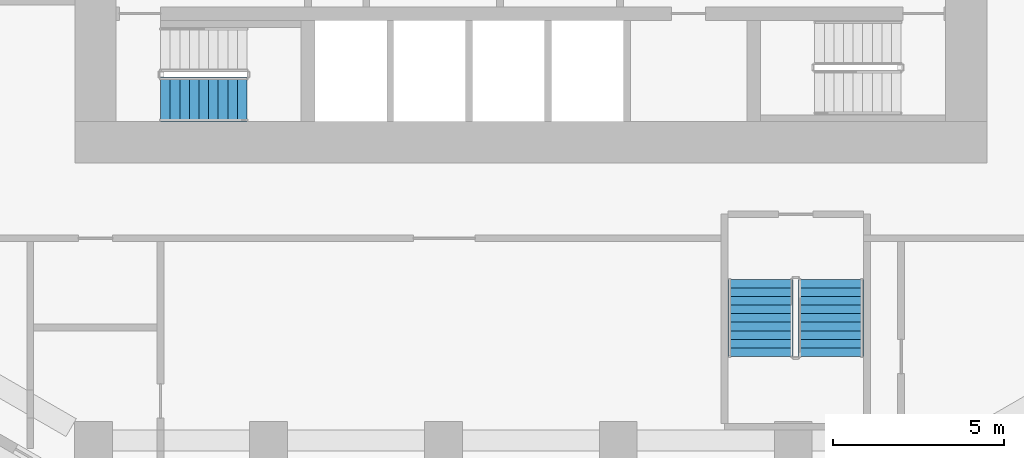
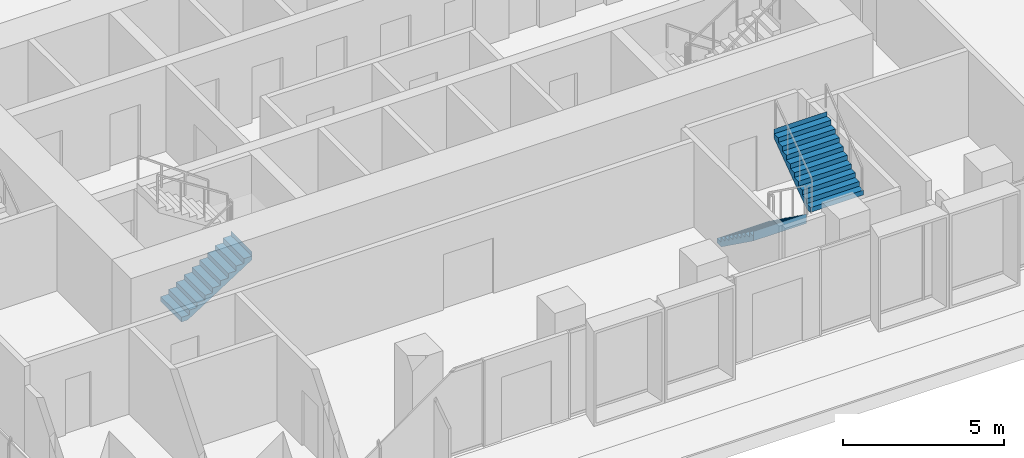
# One storey, part 29 of 38: 3 stair flights, 2 elements without a shape of their own.
"""IFC4 building model written with IfcOpenShell, lengths in metres."""

from ifc_helpers import new_model, si_unit, direction, frame, origin, place, context, subcontext, project, spatial, triangles, material, type_object, element, aggregate, save


model = new_model("IFC4")

# Units and contexts
model_context = context("Model", 3, precision=1e-05, world=origin(), true_north=direction((0.0, 1.0)))
body_context = subcontext(model_context, "Body", "Model", "MODEL_VIEW")
ifc_project = project(units=[si_unit("LENGTHUNIT", "METRE"), si_unit("AREAUNIT", "SQUARE_METRE"), si_unit("VOLUMEUNIT", "CUBIC_METRE"), si_unit("PLANEANGLEUNIT", "RADIAN"), si_unit("MASSUNIT", "GRAM", prefix="KILO")], contexts=[model_context])

# Site, building, storey
site_placement = place(None, origin())
site = spatial("IfcSite", under=ifc_project, at=site_placement, CompositionType="ELEMENT")
building_placement = place(site_placement, origin())
building = spatial("IfcBuilding", under=site, at=building_placement, Name="Beryl Residences", CompositionType="ELEMENT")
storey_placement = place(building_placement, frame((0.0, 0.0, 9.0)))
storey = spatial("IfcBuildingStorey", under=building, at=storey_placement, Name="L02", CompositionType="ELEMENT", Elevation=9.0)

# Stair, stair flights
ifc_material_1 = material(Name="Concrete C40/50", Category="concrete")
stair_type = type_object("IfcStairType", Name="ST1 protected exit stair, half-turn, 1300 mm flights", PredefinedType="HALF_TURN_STAIR", material=ifc_material_1)
stair_1_placement = place(storey_placement, origin())
stair_1 = element("IfcStair", 1, at=stair_1_placement, inside=storey, type_object=stair_type, Name="L02 Podium exit stair 7", PredefinedType="HALF_TURN_STAIR")
ifc_material_2 = material(Name="Concrete C40/50", Category="concrete")
stair_flight_type = type_object("IfcStairFlightType", Name="SF1 stair flight 1300 mm", PredefinedType="STRAIGHT", material=ifc_material_2)
stair_flight_1_placement = place(storey_placement, frame((6.699951171875, -22.39990234375, 0.0), z_axis=(0.0, 0.0, 1.0), x_axis=(0.0, -1.0, 0.0)))
stair_flight_1 = element("IfcStairFlight", 2, at=stair_flight_1_placement, type_object=stair_flight_type, Name="PS-7 flight 1", NumberOfRisers=10, NumberOfTreads=9, PredefinedType="STRAIGHT", RiserHeight=0.18, TreadLength=0.25, context=body_context, shape_type="Tessellation", body=[
    triangles([(0.0, -0.949951171875, 0.0), (0.0, -0.47509765625, 0.0), (0.0, 0.0, 0.0), (0.0, 0.47509765625, 0.0), (0.0, 0.949951171875, 0.0), (0.0, -0.949951171875, 0.179931640625), (0.0, -0.47509765625, 0.179931640625), (0.0, 0.0, 0.179931640625), (0.0, 0.47509765625, 0.179931640625), (0.0, 0.949951171875, 0.179931640625), (0.25, -0.949951171875, 0.179931640625), (0.25, -0.47509765625, 0.179931640625), (0.25, 0.0, 0.179931640625), (0.25, 0.47509765625, 0.179931640625), (0.25, 0.949951171875, 0.179931640625), (0.25, -0.949951171875, 0.360107421875), (0.25, -0.47509765625, 0.360107421875), (0.25, 0.0, 0.360107421875), (0.25, 0.47509765625, 0.360107421875), (0.25, 0.949951171875, 0.360107421875), (0.5, -0.949951171875, 0.360107421875), (0.5, -0.47509765625, 0.360107421875), (0.5, 0.0, 0.360107421875), (0.5, 0.47509765625, 0.360107421875), (0.5, 0.949951171875, 0.360107421875), (0.5, -0.949951171875, 0.5400390625), (0.5, -0.47509765625, 0.5400390625), (0.5, 0.0, 0.5400390625), (0.5, 0.47509765625, 0.5400390625), (0.5, 0.949951171875, 0.5400390625), (0.75, -0.949951171875, 0.5400390625), (0.75, -0.47509765625, 0.5400390625), (0.75, 0.0, 0.5400390625), (0.75, 0.47509765625, 0.5400390625), (0.75, 0.949951171875, 0.5400390625), (0.75, -0.949951171875, 0.719970703125), (0.75, -0.47509765625, 0.719970703125), (0.75, 0.0, 0.719970703125), (0.75, 0.47509765625, 0.719970703125), (0.75, 0.949951171875, 0.719970703125), (1.0, -0.949951171875, 0.719970703125), (1.0, -0.47509765625, 0.719970703125), (1.0, 0.0, 0.719970703125), (1.0, 0.47509765625, 0.719970703125), (1.0, 0.949951171875, 0.719970703125), (1.0, -0.949951171875, 0.89990234375), (1.0, -0.47509765625, 0.89990234375), (1.0, 0.0, 0.89990234375), (1.0, 0.47509765625, 0.89990234375), (1.0, 0.949951171875, 0.89990234375), (1.25, -0.949951171875, 0.89990234375), (1.25, -0.47509765625, 0.89990234375), (1.25, 0.0, 0.89990234375), (1.25, 0.47509765625, 0.89990234375), (1.25, 0.949951171875, 0.89990234375), (1.25, -0.949951171875, 1.080078125), (1.25, -0.47509765625, 1.080078125), (1.25, 0.0, 1.080078125), (1.25, 0.47509765625, 1.080078125), (1.25, 0.949951171875, 1.080078125), (1.5, -0.949951171875, 1.080078125), (1.5, -0.47509765625, 1.080078125), (1.5, 0.0, 1.080078125), (1.5, 0.47509765625, 1.080078125), (1.5, 0.949951171875, 1.080078125), (1.5, -0.949951171875, 1.260009765625), (1.5, -0.47509765625, 1.260009765625), (1.5, 0.0, 1.260009765625), (1.5, 0.47509765625, 1.260009765625), (1.5, 0.949951171875, 1.260009765625), (1.75, -0.949951171875, 1.260009765625), (1.75, -0.47509765625, 1.260009765625), (1.75, 0.0, 1.260009765625), (1.75, 0.47509765625, 1.260009765625), (1.75, 0.949951171875, 1.260009765625), (1.75, -0.949951171875, 1.43994140625), (1.75, -0.47509765625, 1.43994140625), (1.75, 0.0, 1.43994140625), (1.75, 0.47509765625, 1.43994140625), (1.75, 0.949951171875, 1.43994140625), (2.0, -0.949951171875, 1.43994140625), (2.0, -0.47509765625, 1.43994140625), (2.0, 0.0, 1.43994140625), (2.0, 0.47509765625, 1.43994140625), (2.0, 0.949951171875, 1.43994140625), (2.0, -0.949951171875, 1.6201171875), (2.0, -0.47509765625, 1.6201171875), (2.0, 0.0, 1.6201171875), (2.0, 0.47509765625, 1.6201171875), (2.0, 0.949951171875, 1.6201171875), (2.25, -0.949951171875, 1.6201171875), (2.25, -0.47509765625, 1.6201171875), (2.25, 0.0, 1.6201171875), (2.25, 0.47509765625, 1.6201171875), (2.25, 0.949951171875, 1.6201171875), (2.25, -0.949951171875, 1.800048828125), (2.25, -0.47509765625, 1.800048828125), (2.25, 0.0, 1.800048828125), (2.25, 0.47509765625, 1.800048828125), (2.25, 0.949951171875, 1.800048828125), (2.2509765625, -0.949951171875, 1.800048828125), (2.2509765625, -0.47509765625, 1.800048828125), (2.2509765625, 0.0, 1.800048828125), (2.2509765625, 0.47509765625, 1.800048828125), (2.2509765625, 0.949951171875, 1.800048828125), (2.2509765625, -0.949951171875, 1.435302734375), (2.2509765625, -0.47509765625, 1.435302734375), (2.2509765625, 0.0, 1.435302734375), (2.2509765625, 0.47509765625, 1.435302734375), (2.2509765625, 0.949951171875, 1.435302734375), (0.257568359375, -0.949951171875, 0.0), (0.257568359375, -0.47509765625, 0.0), (0.257568359375, 0.0, 0.0), (0.257568359375, 0.47509765625, 0.0), (0.257568359375, 0.949951171875, 0.0)], [[1, 6, 7], [1, 7, 2], [2, 7, 8], [2, 8, 3], [3, 8, 9], [3, 9, 4], [4, 9, 10], [4, 10, 5], [6, 11, 12], [6, 12, 7], [7, 12, 13], [7, 13, 8], [8, 13, 14], [8, 14, 9], [9, 14, 15], [9, 15, 10], [11, 16, 17], [11, 17, 12], [12, 17, 18], [12, 18, 13], [13, 18, 19], [13, 19, 14], [14, 19, 20], [14, 20, 15], [16, 21, 22], [16, 22, 17], [17, 22, 23], [17, 23, 18], [18, 23, 24], [18, 24, 19], [19, 24, 25], [19, 25, 20], [21, 26, 27], [21, 27, 22], [22, 27, 28], [22, 28, 23], [23, 28, 29], [23, 29, 24], [24, 29, 30], [24, 30, 25], [26, 31, 32], [26, 32, 27], [27, 32, 33], [27, 33, 28], [28, 33, 34], [28, 34, 29], [29, 34, 35], [29, 35, 30], [31, 36, 37], [31, 37, 32], [32, 37, 38], [32, 38, 33], [33, 38, 39], [33, 39, 34], [34, 39, 40], [34, 40, 35], [36, 41, 42], [36, 42, 37], [37, 42, 43], [37, 43, 38], [38, 43, 44], [38, 44, 39], [39, 44, 45], [39, 45, 40], [41, 46, 47], [41, 47, 42], [42, 47, 48], [42, 48, 43], [43, 48, 49], [43, 49, 44], [44, 49, 50], [44, 50, 45], [46, 51, 52], [46, 52, 47], [47, 52, 53], [47, 53, 48], [48, 53, 54], [48, 54, 49], [49, 54, 55], [49, 55, 50], [51, 56, 57], [51, 57, 52], [52, 57, 58], [52, 58, 53], [53, 58, 59], [53, 59, 54], [54, 59, 60], [54, 60, 55], [56, 61, 62], [56, 62, 57], [57, 62, 63], [57, 63, 58], [58, 63, 64], [58, 64, 59], [59, 64, 65], [59, 65, 60], [61, 66, 67], [61, 67, 62], [62, 67, 68], [62, 68, 63], [63, 68, 69], [63, 69, 64], [64, 69, 70], [64, 70, 65], [66, 71, 72], [66, 72, 67], [67, 72, 73], [67, 73, 68], [68, 73, 74], [68, 74, 69], [69, 74, 75], [69, 75, 70], [71, 76, 77], [71, 77, 72], [72, 77, 78], [72, 78, 73], [73, 78, 79], [73, 79, 74], [74, 79, 80], [74, 80, 75], [76, 81, 82], [76, 82, 77], [77, 82, 83], [77, 83, 78], [78, 83, 84], [78, 84, 79], [79, 84, 85], [79, 85, 80], [81, 86, 87], [81, 87, 82], [82, 87, 88], [82, 88, 83], [83, 88, 89], [83, 89, 84], [84, 89, 90], [84, 90, 85], [86, 91, 92], [86, 92, 87], [87, 92, 93], [87, 93, 88], [88, 93, 94], [88, 94, 89], [89, 94, 95], [89, 95, 90], [91, 96, 97], [91, 97, 92], [92, 97, 98], [92, 98, 93], [93, 98, 99], [93, 99, 94], [94, 99, 100], [94, 100, 95], [96, 101, 102], [96, 102, 97], [97, 102, 103], [97, 103, 98], [98, 103, 104], [98, 104, 99], [99, 104, 105], [99, 105, 100], [101, 106, 107], [101, 107, 102], [102, 107, 108], [102, 108, 103], [103, 108, 109], [103, 109, 104], [104, 109, 110], [104, 110, 105], [106, 111, 112], [106, 112, 107], [107, 112, 113], [107, 113, 108], [108, 113, 114], [108, 114, 109], [109, 114, 115], [109, 115, 110], [111, 1, 2], [111, 2, 112], [112, 2, 3], [112, 3, 113], [113, 3, 4], [113, 4, 114], [114, 4, 5], [114, 5, 115], [1, 111, 106], [5, 110, 115], [106, 101, 96], [110, 100, 105], [106, 96, 91], [110, 95, 100], [106, 91, 86], [110, 90, 95], [106, 86, 81], [110, 85, 90], [106, 81, 76], [110, 80, 85], [106, 76, 71], [110, 75, 80], [71, 66, 61], [75, 65, 70], [106, 71, 61], [110, 65, 75], [61, 56, 51], [65, 55, 60], [106, 61, 51], [110, 55, 65], [51, 46, 41], [55, 45, 50], [106, 51, 41], [110, 45, 55], [41, 36, 31], [45, 35, 40], [106, 41, 31], [110, 35, 45], [31, 26, 21], [35, 25, 30], [106, 31, 21], [110, 25, 35], [21, 16, 11], [25, 15, 20], [106, 21, 11], [110, 15, 25], [1, 106, 11], [5, 15, 110], [11, 6, 1], [15, 5, 10]], closed=True),
])
stair_flight_2_placement = place(storey_placement, frame((8.75, -24.64990234375, 1.800048828125), z_axis=(0.0, 0.0, 1.0), x_axis=(0.0, 1.0, 0.0)))
stair_flight_2 = element("IfcStairFlight", 3, at=stair_flight_2_placement, type_object=stair_flight_type, Name="PS-7 flight 2", NumberOfRisers=10, NumberOfTreads=9, PredefinedType="STRAIGHT", RiserHeight=0.18, TreadLength=0.25, context=body_context, shape_type="Tessellation", body=[
    triangles([(0.0, -0.949951171875, 0.0), (0.0, -0.47509765625, 0.0), (0.0, 0.0, 0.0), (0.0, 0.47509765625, 0.0), (0.0, 0.949951171875, 0.0), (0.0, -0.949951171875, 0.179931640625), (0.0, -0.47509765625, 0.179931640625), (0.0, 0.0, 0.179931640625), (0.0, 0.47509765625, 0.179931640625), (0.0, 0.949951171875, 0.179931640625), (0.25, -0.949951171875, 0.179931640625), (0.25, -0.47509765625, 0.179931640625), (0.25, 0.0, 0.179931640625), (0.25, 0.47509765625, 0.179931640625), (0.25, 0.949951171875, 0.179931640625), (0.25, -0.949951171875, 0.360107421875), (0.25, -0.47509765625, 0.360107421875), (0.25, 0.0, 0.360107421875), (0.25, 0.47509765625, 0.360107421875), (0.25, 0.949951171875, 0.360107421875), (0.5, -0.949951171875, 0.360107421875), (0.5, -0.47509765625, 0.360107421875), (0.5, 0.0, 0.360107421875), (0.5, 0.47509765625, 0.360107421875), (0.5, 0.949951171875, 0.360107421875), (0.5, -0.949951171875, 0.5400390625), (0.5, -0.47509765625, 0.5400390625), (0.5, 0.0, 0.5400390625), (0.5, 0.47509765625, 0.5400390625), (0.5, 0.949951171875, 0.5400390625), (0.75, -0.949951171875, 0.5400390625), (0.75, -0.47509765625, 0.5400390625), (0.75, 0.0, 0.5400390625), (0.75, 0.47509765625, 0.5400390625), (0.75, 0.949951171875, 0.5400390625), (0.75, -0.949951171875, 0.719970703125), (0.75, -0.47509765625, 0.719970703125), (0.75, 0.0, 0.719970703125), (0.75, 0.47509765625, 0.719970703125), (0.75, 0.949951171875, 0.719970703125), (1.0, -0.949951171875, 0.719970703125), (1.0, -0.47509765625, 0.719970703125), (1.0, 0.0, 0.719970703125), (1.0, 0.47509765625, 0.719970703125), (1.0, 0.949951171875, 0.719970703125), (1.0, -0.949951171875, 0.89990234375), (1.0, -0.47509765625, 0.89990234375), (1.0, 0.0, 0.89990234375), (1.0, 0.47509765625, 0.89990234375), (1.0, 0.949951171875, 0.89990234375), (1.25, -0.949951171875, 0.89990234375), (1.25, -0.47509765625, 0.89990234375), (1.25, 0.0, 0.89990234375), (1.25, 0.47509765625, 0.89990234375), (1.25, 0.949951171875, 0.89990234375), (1.25, -0.949951171875, 1.080078125), (1.25, -0.47509765625, 1.080078125), (1.25, 0.0, 1.080078125), (1.25, 0.47509765625, 1.080078125), (1.25, 0.949951171875, 1.080078125), (1.5, -0.949951171875, 1.080078125), (1.5, -0.47509765625, 1.080078125), (1.5, 0.0, 1.080078125), (1.5, 0.47509765625, 1.080078125), (1.5, 0.949951171875, 1.080078125), (1.5, -0.949951171875, 1.260009765625), (1.5, -0.47509765625, 1.260009765625), (1.5, 0.0, 1.260009765625), (1.5, 0.47509765625, 1.260009765625), (1.5, 0.949951171875, 1.260009765625), (1.75, -0.949951171875, 1.260009765625), (1.75, -0.47509765625, 1.260009765625), (1.75, 0.0, 1.260009765625), (1.75, 0.47509765625, 1.260009765625), (1.75, 0.949951171875, 1.260009765625), (1.75, -0.949951171875, 1.43994140625), (1.75, -0.47509765625, 1.43994140625), (1.75, 0.0, 1.43994140625), (1.75, 0.47509765625, 1.43994140625), (1.75, 0.949951171875, 1.43994140625), (2.0, -0.949951171875, 1.43994140625), (2.0, -0.47509765625, 1.43994140625), (2.0, 0.0, 1.43994140625), (2.0, 0.47509765625, 1.43994140625), (2.0, 0.949951171875, 1.43994140625), (2.0, -0.949951171875, 1.6201171875), (2.0, -0.47509765625, 1.6201171875), (2.0, 0.0, 1.6201171875), (2.0, 0.47509765625, 1.6201171875), (2.0, 0.949951171875, 1.6201171875), (2.25, -0.949951171875, 1.6201171875), (2.25, -0.47509765625, 1.6201171875), (2.25, 0.0, 1.6201171875), (2.25, 0.47509765625, 1.6201171875), (2.25, 0.949951171875, 1.6201171875), (2.25, -0.949951171875, 1.800048828125), (2.25, -0.47509765625, 1.800048828125), (2.25, 0.0, 1.800048828125), (2.25, 0.47509765625, 1.800048828125), (2.25, 0.949951171875, 1.800048828125), (2.2509765625, -0.949951171875, 1.800048828125), (2.2509765625, -0.47509765625, 1.800048828125), (2.2509765625, 0.0, 1.800048828125), (2.2509765625, 0.47509765625, 1.800048828125), (2.2509765625, 0.949951171875, 1.800048828125), (2.2509765625, -0.949951171875, 1.435302734375), (2.2509765625, -0.47509765625, 1.435302734375), (2.2509765625, 0.0, 1.435302734375), (2.2509765625, 0.47509765625, 1.435302734375), (2.2509765625, 0.949951171875, 1.435302734375), (0.257568359375, -0.949951171875, 0.0), (0.257568359375, -0.47509765625, 0.0), (0.257568359375, 0.0, 0.0), (0.257568359375, 0.47509765625, 0.0), (0.257568359375, 0.949951171875, 0.0)], [[1, 6, 7], [1, 7, 2], [2, 7, 8], [2, 8, 3], [3, 8, 9], [3, 9, 4], [4, 9, 10], [4, 10, 5], [6, 11, 12], [6, 12, 7], [7, 12, 13], [7, 13, 8], [8, 13, 14], [8, 14, 9], [9, 14, 15], [9, 15, 10], [11, 16, 17], [11, 17, 12], [12, 17, 18], [12, 18, 13], [13, 18, 19], [13, 19, 14], [14, 19, 20], [14, 20, 15], [16, 21, 22], [16, 22, 17], [17, 22, 23], [17, 23, 18], [18, 23, 24], [18, 24, 19], [19, 24, 25], [19, 25, 20], [21, 26, 27], [21, 27, 22], [22, 27, 28], [22, 28, 23], [23, 28, 29], [23, 29, 24], [24, 29, 30], [24, 30, 25], [26, 31, 32], [26, 32, 27], [27, 32, 33], [27, 33, 28], [28, 33, 34], [28, 34, 29], [29, 34, 35], [29, 35, 30], [31, 36, 37], [31, 37, 32], [32, 37, 38], [32, 38, 33], [33, 38, 39], [33, 39, 34], [34, 39, 40], [34, 40, 35], [36, 41, 42], [36, 42, 37], [37, 42, 43], [37, 43, 38], [38, 43, 44], [38, 44, 39], [39, 44, 45], [39, 45, 40], [41, 46, 47], [41, 47, 42], [42, 47, 48], [42, 48, 43], [43, 48, 49], [43, 49, 44], [44, 49, 50], [44, 50, 45], [46, 51, 52], [46, 52, 47], [47, 52, 53], [47, 53, 48], [48, 53, 54], [48, 54, 49], [49, 54, 55], [49, 55, 50], [51, 56, 57], [51, 57, 52], [52, 57, 58], [52, 58, 53], [53, 58, 59], [53, 59, 54], [54, 59, 60], [54, 60, 55], [56, 61, 62], [56, 62, 57], [57, 62, 63], [57, 63, 58], [58, 63, 64], [58, 64, 59], [59, 64, 65], [59, 65, 60], [61, 66, 67], [61, 67, 62], [62, 67, 68], [62, 68, 63], [63, 68, 69], [63, 69, 64], [64, 69, 70], [64, 70, 65], [66, 71, 72], [66, 72, 67], [67, 72, 73], [67, 73, 68], [68, 73, 74], [68, 74, 69], [69, 74, 75], [69, 75, 70], [71, 76, 77], [71, 77, 72], [72, 77, 78], [72, 78, 73], [73, 78, 79], [73, 79, 74], [74, 79, 80], [74, 80, 75], [76, 81, 82], [76, 82, 77], [77, 82, 83], [77, 83, 78], [78, 83, 84], [78, 84, 79], [79, 84, 85], [79, 85, 80], [81, 86, 87], [81, 87, 82], [82, 87, 88], [82, 88, 83], [83, 88, 89], [83, 89, 84], [84, 89, 90], [84, 90, 85], [86, 91, 92], [86, 92, 87], [87, 92, 93], [87, 93, 88], [88, 93, 94], [88, 94, 89], [89, 94, 95], [89, 95, 90], [91, 96, 97], [91, 97, 92], [92, 97, 98], [92, 98, 93], [93, 98, 99], [93, 99, 94], [94, 99, 100], [94, 100, 95], [96, 101, 102], [96, 102, 97], [97, 102, 103], [97, 103, 98], [98, 103, 104], [98, 104, 99], [99, 104, 105], [99, 105, 100], [101, 106, 107], [101, 107, 102], [102, 107, 108], [102, 108, 103], [103, 108, 109], [103, 109, 104], [104, 109, 110], [104, 110, 105], [106, 111, 112], [106, 112, 107], [107, 112, 113], [107, 113, 108], [108, 113, 114], [108, 114, 109], [109, 114, 115], [109, 115, 110], [111, 1, 2], [111, 2, 112], [112, 2, 3], [112, 3, 113], [113, 3, 4], [113, 4, 114], [114, 4, 5], [114, 5, 115], [1, 111, 106], [5, 110, 115], [106, 101, 96], [110, 100, 105], [106, 96, 91], [110, 95, 100], [106, 91, 86], [110, 90, 95], [106, 86, 81], [110, 85, 90], [106, 81, 76], [110, 80, 85], [106, 76, 71], [110, 75, 80], [71, 66, 61], [75, 65, 70], [106, 71, 61], [110, 65, 75], [61, 56, 51], [65, 55, 60], [106, 61, 51], [110, 55, 65], [51, 46, 41], [55, 45, 50], [106, 51, 41], [110, 45, 55], [41, 36, 31], [45, 35, 40], [106, 41, 31], [110, 35, 45], [31, 26, 21], [35, 25, 30], [106, 31, 21], [110, 25, 35], [21, 16, 11], [25, 15, 20], [106, 21, 11], [110, 15, 25], [1, 106, 11], [5, 15, 110], [11, 6, 1], [15, 5, 10]], closed=True),
])
aggregate(stair_1, [stair_flight_1, stair_flight_2])

# Stair, stair flight
stair_2_placement = place(storey_placement, origin())
stair_2 = element("IfcStair", 4, at=stair_2_placement, inside=storey, type_object=stair_type, Name="L02 PROTECTED EXIT STAIR ST-1", PredefinedType="HALF_TURN_STAIR")
stair_flight_3_placement = place(storey_placement, frame((-10.800048828125, -17.14990234375, 0.0), z_axis=(0.0, 0.0, 1.0), x_axis=(1.0, 0.0, 0.0)))
stair_flight_3 = element("IfcStairFlight", 5, at=stair_flight_3_placement, type_object=stair_flight_type, Name="ST-1 flight 1", NumberOfRisers=10, NumberOfTreads=9, PredefinedType="STRAIGHT", RiserHeight=0.18, TreadLength=0.28, context=body_context, shape_type="Tessellation", body=[
    triangles([(0.0, -0.64990234375, 0.0), (0.0, -0.324951171875, 0.0), (0.0, 0.0, 0.0), (0.0, 0.324951171875, 0.0), (0.0, 0.64990234375, 0.0), (0.0, -0.64990234375, 0.179931640625), (0.0, -0.324951171875, 0.179931640625), (0.0, 0.0, 0.179931640625), (0.0, 0.324951171875, 0.179931640625), (0.0, 0.64990234375, 0.179931640625), (0.280029296875, -0.64990234375, 0.179931640625), (0.280029296875, -0.324951171875, 0.179931640625), (0.280029296875, 0.0, 0.179931640625), (0.280029296875, 0.324951171875, 0.179931640625), (0.280029296875, 0.64990234375, 0.179931640625), (0.280029296875, -0.64990234375, 0.360107421875), (0.280029296875, -0.324951171875, 0.360107421875), (0.280029296875, 0.0, 0.360107421875), (0.280029296875, 0.324951171875, 0.360107421875), (0.280029296875, 0.64990234375, 0.360107421875), (0.56005859375, -0.64990234375, 0.360107421875), (0.56005859375, -0.324951171875, 0.360107421875), (0.56005859375, 0.0, 0.360107421875), (0.56005859375, 0.324951171875, 0.360107421875), (0.56005859375, 0.64990234375, 0.360107421875), (0.56005859375, -0.64990234375, 0.5400390625), (0.56005859375, -0.324951171875, 0.5400390625), (0.56005859375, 0.0, 0.5400390625), (0.56005859375, 0.324951171875, 0.5400390625), (0.56005859375, 0.64990234375, 0.5400390625), (0.840087890625, -0.64990234375, 0.5400390625), (0.840087890625, -0.324951171875, 0.5400390625), (0.840087890625, 0.0, 0.5400390625), (0.840087890625, 0.324951171875, 0.5400390625), (0.840087890625, 0.64990234375, 0.5400390625), (0.840087890625, -0.64990234375, 0.719970703125), (0.840087890625, -0.324951171875, 0.719970703125), (0.840087890625, 0.0, 0.719970703125), (0.840087890625, 0.324951171875, 0.719970703125), (0.840087890625, 0.64990234375, 0.719970703125), (1.1201171875, -0.64990234375, 0.719970703125), (1.1201171875, -0.324951171875, 0.719970703125), (1.1201171875, 0.0, 0.719970703125), (1.1201171875, 0.324951171875, 0.719970703125), (1.1201171875, 0.64990234375, 0.719970703125), (1.1201171875, -0.64990234375, 0.89990234375), (1.1201171875, -0.324951171875, 0.89990234375), (1.1201171875, 0.0, 0.89990234375), (1.1201171875, 0.324951171875, 0.89990234375), (1.1201171875, 0.64990234375, 0.89990234375), (1.39990234375, -0.64990234375, 0.89990234375), (1.39990234375, -0.324951171875, 0.89990234375), (1.39990234375, 0.0, 0.89990234375), (1.39990234375, 0.324951171875, 0.89990234375), (1.39990234375, 0.64990234375, 0.89990234375), (1.39990234375, -0.64990234375, 1.080078125), (1.39990234375, -0.324951171875, 1.080078125), (1.39990234375, 0.0, 1.080078125), (1.39990234375, 0.324951171875, 1.080078125), (1.39990234375, 0.64990234375, 1.080078125), (1.679931640625, -0.64990234375, 1.080078125), (1.679931640625, -0.324951171875, 1.080078125), (1.679931640625, 0.0, 1.080078125), (1.679931640625, 0.324951171875, 1.080078125), (1.679931640625, 0.64990234375, 1.080078125), (1.679931640625, -0.64990234375, 1.260009765625), (1.679931640625, -0.324951171875, 1.260009765625), (1.679931640625, 0.0, 1.260009765625), (1.679931640625, 0.324951171875, 1.260009765625), (1.679931640625, 0.64990234375, 1.260009765625), (1.9599609375, -0.64990234375, 1.260009765625), (1.9599609375, -0.324951171875, 1.260009765625), (1.9599609375, 0.0, 1.260009765625), (1.9599609375, 0.324951171875, 1.260009765625), (1.9599609375, 0.64990234375, 1.260009765625), (1.9599609375, -0.64990234375, 1.43994140625), (1.9599609375, -0.324951171875, 1.43994140625), (1.9599609375, 0.0, 1.43994140625), (1.9599609375, 0.324951171875, 1.43994140625), (1.9599609375, 0.64990234375, 1.43994140625), (2.239990234375, -0.64990234375, 1.43994140625), (2.239990234375, -0.324951171875, 1.43994140625), (2.239990234375, 0.0, 1.43994140625), (2.239990234375, 0.324951171875, 1.43994140625), (2.239990234375, 0.64990234375, 1.43994140625), (2.239990234375, -0.64990234375, 1.6201171875), (2.239990234375, -0.324951171875, 1.6201171875), (2.239990234375, 0.0, 1.6201171875), (2.239990234375, 0.324951171875, 1.6201171875), (2.239990234375, 0.64990234375, 1.6201171875), (2.52001953125, -0.64990234375, 1.6201171875), (2.52001953125, -0.324951171875, 1.6201171875), (2.52001953125, 0.0, 1.6201171875), (2.52001953125, 0.324951171875, 1.6201171875), (2.52001953125, 0.64990234375, 1.6201171875), (2.52001953125, -0.64990234375, 1.800048828125), (2.52001953125, -0.324951171875, 1.800048828125), (2.52001953125, 0.0, 1.800048828125), (2.52001953125, 0.324951171875, 1.800048828125), (2.52001953125, 0.64990234375, 1.800048828125), (2.52099609375, -0.64990234375, 1.800048828125), (2.52099609375, -0.324951171875, 1.800048828125), (2.52099609375, 0.0, 1.800048828125), (2.52099609375, 0.324951171875, 1.800048828125), (2.52099609375, 0.64990234375, 1.800048828125), (2.52099609375, -0.64990234375, 1.477294921875), (2.52099609375, -0.324951171875, 1.477294921875), (2.52099609375, 0.0, 1.477294921875), (2.52099609375, 0.324951171875, 1.477294921875), (2.52099609375, 0.64990234375, 1.477294921875), (0.22314453125, -0.64990234375, 0.0), (0.22314453125, -0.324951171875, 0.0), (0.22314453125, 0.0, 0.0), (0.22314453125, 0.324951171875, 0.0), (0.22314453125, 0.64990234375, 0.0)], [[1, 6, 7], [1, 7, 2], [2, 7, 8], [2, 8, 3], [3, 8, 9], [3, 9, 4], [4, 9, 10], [4, 10, 5], [6, 11, 12], [6, 12, 7], [7, 12, 13], [7, 13, 8], [8, 13, 14], [8, 14, 9], [9, 14, 15], [9, 15, 10], [11, 16, 17], [11, 17, 12], [12, 17, 18], [12, 18, 13], [13, 18, 19], [13, 19, 14], [14, 19, 20], [14, 20, 15], [16, 21, 22], [16, 22, 17], [17, 22, 23], [17, 23, 18], [18, 23, 24], [18, 24, 19], [19, 24, 25], [19, 25, 20], [21, 26, 27], [21, 27, 22], [22, 27, 28], [22, 28, 23], [23, 28, 29], [23, 29, 24], [24, 29, 30], [24, 30, 25], [26, 31, 32], [26, 32, 27], [27, 32, 33], [27, 33, 28], [28, 33, 34], [28, 34, 29], [29, 34, 35], [29, 35, 30], [31, 36, 37], [31, 37, 32], [32, 37, 38], [32, 38, 33], [33, 38, 39], [33, 39, 34], [34, 39, 40], [34, 40, 35], [36, 41, 42], [36, 42, 37], [37, 42, 43], [37, 43, 38], [38, 43, 44], [38, 44, 39], [39, 44, 45], [39, 45, 40], [41, 46, 47], [41, 47, 42], [42, 47, 48], [42, 48, 43], [43, 48, 49], [43, 49, 44], [44, 49, 50], [44, 50, 45], [46, 51, 52], [46, 52, 47], [47, 52, 53], [47, 53, 48], [48, 53, 54], [48, 54, 49], [49, 54, 55], [49, 55, 50], [51, 56, 57], [51, 57, 52], [52, 57, 58], [52, 58, 53], [53, 58, 59], [53, 59, 54], [54, 59, 60], [54, 60, 55], [56, 61, 62], [56, 62, 57], [57, 62, 63], [57, 63, 58], [58, 63, 64], [58, 64, 59], [59, 64, 65], [59, 65, 60], [61, 66, 67], [61, 67, 62], [62, 67, 68], [62, 68, 63], [63, 68, 69], [63, 69, 64], [64, 69, 70], [64, 70, 65], [66, 71, 72], [66, 72, 67], [67, 72, 73], [67, 73, 68], [68, 73, 74], [68, 74, 69], [69, 74, 75], [69, 75, 70], [71, 76, 77], [71, 77, 72], [72, 77, 78], [72, 78, 73], [73, 78, 79], [73, 79, 74], [74, 79, 80], [74, 80, 75], [76, 81, 82], [76, 82, 77], [77, 82, 83], [77, 83, 78], [78, 83, 84], [78, 84, 79], [79, 84, 85], [79, 85, 80], [81, 86, 87], [81, 87, 82], [82, 87, 88], [82, 88, 83], [83, 88, 89], [83, 89, 84], [84, 89, 90], [84, 90, 85], [86, 91, 92], [86, 92, 87], [87, 92, 93], [87, 93, 88], [88, 93, 94], [88, 94, 89], [89, 94, 95], [89, 95, 90], [91, 96, 97], [91, 97, 92], [92, 97, 98], [92, 98, 93], [93, 98, 99], [93, 99, 94], [94, 99, 100], [94, 100, 95], [96, 101, 102], [96, 102, 97], [97, 102, 103], [97, 103, 98], [98, 103, 104], [98, 104, 99], [99, 104, 105], [99, 105, 100], [101, 106, 107], [101, 107, 102], [102, 107, 108], [102, 108, 103], [103, 108, 109], [103, 109, 104], [104, 109, 110], [104, 110, 105], [106, 111, 112], [106, 112, 107], [107, 112, 113], [107, 113, 108], [108, 113, 114], [108, 114, 109], [109, 114, 115], [109, 115, 110], [111, 1, 2], [111, 2, 112], [112, 2, 3], [112, 3, 113], [113, 3, 4], [113, 4, 114], [114, 4, 5], [114, 5, 115], [1, 111, 106], [5, 110, 115], [106, 101, 96], [110, 100, 105], [106, 96, 91], [110, 95, 100], [106, 91, 86], [110, 90, 95], [106, 86, 81], [110, 85, 90], [81, 76, 71], [85, 75, 80], [106, 81, 71], [110, 75, 85], [71, 66, 61], [75, 65, 70], [106, 71, 61], [110, 65, 75], [61, 56, 51], [65, 55, 60], [106, 61, 51], [110, 55, 65], [51, 46, 41], [55, 45, 50], [106, 51, 41], [110, 45, 55], [41, 36, 31], [45, 35, 40], [106, 41, 31], [110, 35, 45], [31, 26, 21], [35, 25, 30], [106, 31, 21], [110, 25, 35], [21, 16, 11], [25, 15, 20], [106, 21, 11], [110, 15, 25], [1, 106, 11], [5, 15, 110], [11, 6, 1], [15, 5, 10]], closed=True),
])
aggregate(stair_2, [stair_flight_3])

save(model, "model.ifc")
